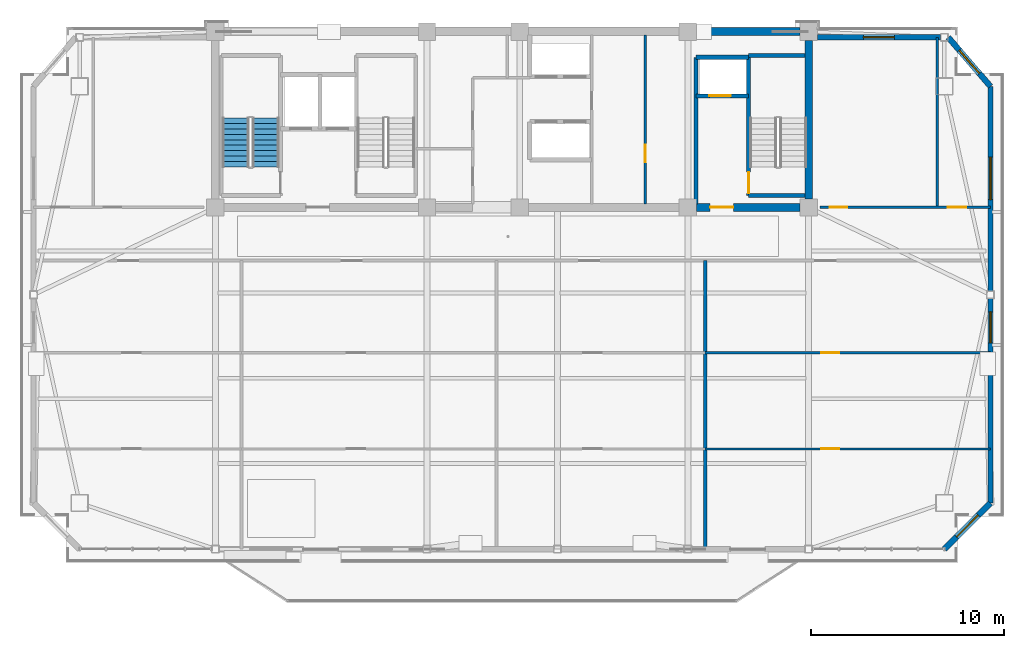
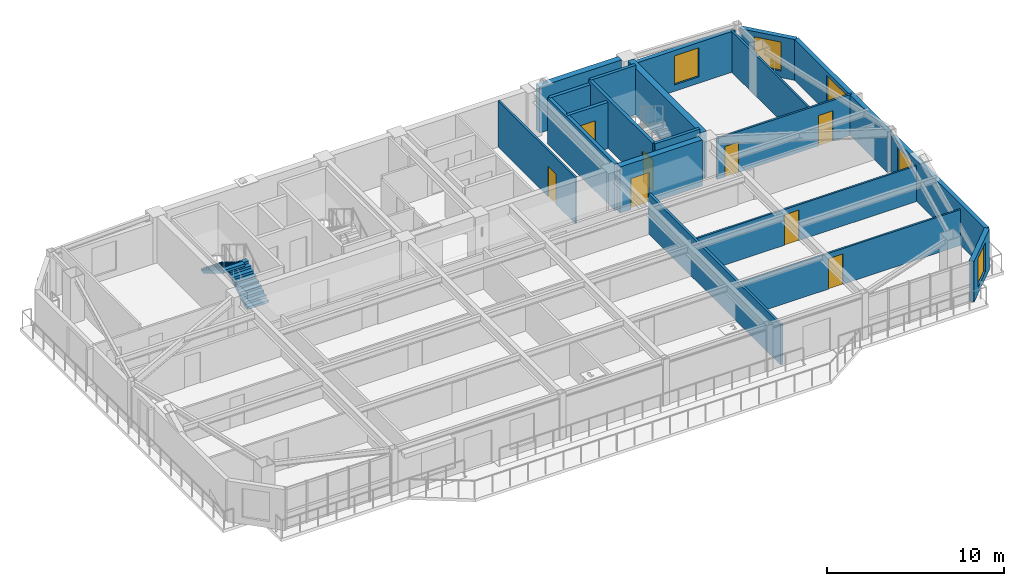
# One storey, part 8 of 13: 20 walls, 8 doors, 5 windows, 2 stair flights, 13 openings, 1 element without a shape of its own.
"""IFC4 building model written with IfcOpenShell, lengths in metres."""

from ifc_helpers import new_model, si_unit, direction, frame, frame_2d, origin, place, context, subcontext, project, spatial, polyline, rectangle, outline, extrude, source, transform, mapped, material, layer, layer_set, type_object, element, fill, aggregate, save


model = new_model("IFC4")

# Units and contexts
model_context = context("Model", 3, precision=1e-05, world=origin(), true_north=direction((0.0, 1.0)))
body_context = subcontext(model_context, "Body", "Model", "MODEL_VIEW")
ifc_project = project(units=[si_unit("LENGTHUNIT", "METRE"), si_unit("AREAUNIT", "SQUARE_METRE"), si_unit("VOLUMEUNIT", "CUBIC_METRE"), si_unit("PLANEANGLEUNIT", "RADIAN"), si_unit("MASSUNIT", "GRAM", prefix="KILO")], contexts=[model_context])

# Site, building, storey
site_placement = place(None, origin())
site = spatial("IfcSite", under=ifc_project, at=site_placement, CompositionType="ELEMENT")
building_placement = place(site_placement, origin())
building = spatial("IfcBuilding", under=site, at=building_placement, Name="Giltprow Tower", CompositionType="ELEMENT")
storey_placement = place(building_placement, frame((0.0, 0.0, 304.0)))
storey = spatial("IfcBuildingStorey", under=building, at=storey_placement, Name="L78", CompositionType="ELEMENT", Elevation=304.0)

# Wall, opening, window
ifc_material_1 = material(Name="Precast concrete C40", Category="concrete")
ifc_layer_1 = layer(ifc_material_1, 0.300048828125, Name="Precast concrete C40")
ifc_layer_set_1 = layer_set([ifc_layer_1], Name="Precast concrete C40")
wall_type_1 = type_object("IfcWallType", Name="EW-NOTCH-CHAMFER-300", PredefinedType="SOLIDWALL", material=ifc_layer_set_1)
wall_1_placement = place(storey_placement, frame((57.574951171875, 19.77197265625, 0.0), z_axis=(0.0, 0.0, 1.0), x_axis=(0.707106781187, 0.707106781187, 0.0)))
wall_1 = element("IfcWall", 1, at=wall_1_placement, inside=storey, type_object=wall_type_1, Name="L78 Corner Notch Wall SE", PredefinedType="SOLIDWALL", context=body_context, shape_type="SweptSolid", body=[
    extrude(rectangle(XDim=3.372802734375, YDim=0.300048828125, at=frame_2d((1.6865234375, 0.0))), origin(), (0.0, 0.0, 1.0), 2.81494140625),
])
opening_1_placement = place(wall_1_placement, frame((0.885986328125, 0.0, 0.449951171875)))
opening_1 = element("IfcOpeningElement", 2, at=opening_1_placement, cuts=wall_1, Name="Opening WN17", PredefinedType="OPENING", context=body_context, shape_type="SweptSolid", body=[
    extrude(rectangle(XDim=1.60009765625, YDim=2.0, at=frame_2d((0.800048828125, 1.0))), frame((0.0, 0.159912109375, 0.0), z_axis=(0.0, -1.0, 0.0), x_axis=(1.0, 0.0, 0.0)), (0.0, 0.0, 1.0), 0.320068359375),
])
ifc_material_2 = material(Name="Insulated glass", Category="glass")
window_type_1 = type_object("IfcWindowType", Name="WN-COR-1600x2000", PartitioningType="SINGLE_PANEL", PredefinedType="WINDOW", material=ifc_material_2)
shared_shape_1 = source(origin(), body_context, "Body", "SweptSolid", [
    extrude(rectangle(XDim=1.60009765625, YDim=2.0, at=frame_2d((0.800048828125, 1.0))), frame((0.0, 0.030029296875, 0.0), z_axis=(0.0, -1.0, 0.0), x_axis=(1.0, 0.0, 0.0)), (0.0, 0.0, 1.0), 0.06005859375),
])
window_1_placement = place(opening_1_placement, origin())
window_1 = element("IfcWindow", 3, at=window_1_placement, inside=storey, type_object=window_type_1, Name="L78 Corner Notch Window SE", OverallHeight=2.0, OverallWidth=1.60009765625, PartitioningType="SINGLE_PANEL", PredefinedType="WINDOW", context=body_context, shape_type="MappedRepresentation", body=[
    mapped(shared_shape_1, transform((0.0, 0.0, 0.0), x_axis=(1.0, 0.0, 0.0), y_axis=(0.0, 1.0, 0.0), z_axis=(0.0, 0.0, 1.0), scale=1.0)),
])
fill(opening_1, window_1)

wall_2_placement = place(storey_placement, frame((59.9599609375, 43.715087890625, 0.0), z_axis=(0.0, 0.0, 1.0), x_axis=(-0.652903544361, 0.757441061576, 0.0)))
wall_2 = element("IfcWall", 4, at=wall_2_placement, inside=storey, type_object=wall_type_1, Name="L78 Corner Notch Wall NE", PredefinedType="SOLIDWALL", context=body_context, shape_type="SweptSolid", body=[
    extrude(rectangle(XDim=3.3466796875, YDim=0.300048828125, at=frame_2d((1.67333984375, 0.0))), origin(), (0.0, 0.0, 1.0), 2.81494140625),
])
opening_2_placement = place(wall_2_placement, frame((0.873046875, 0.0, 0.449951171875)))
opening_2 = element("IfcOpeningElement", 5, at=opening_2_placement, cuts=wall_2, Name="Opening WN17", PredefinedType="OPENING", context=body_context, shape_type="SweptSolid", body=[
    extrude(rectangle(XDim=1.60009765625, YDim=2.0, at=frame_2d((0.800048828125, 1.0))), frame((0.0, 0.159912109375, 0.0), z_axis=(0.0, -1.0, 0.0), x_axis=(1.0, 0.0, 0.0)), (0.0, 0.0, 1.0), 0.320068359375),
])
window_2_placement = place(opening_2_placement, origin())
window_2 = element("IfcWindow", 6, at=window_2_placement, inside=storey, type_object=window_type_1, Name="L78 Corner Notch Window NE", OverallHeight=2.0, OverallWidth=1.60009765625, PartitioningType="SINGLE_PANEL", PredefinedType="WINDOW", context=body_context, shape_type="MappedRepresentation", body=[
    mapped(shared_shape_1, transform((0.0, 0.0, 0.0), x_axis=(1.0, 0.0, 0.0), y_axis=(0.0, 1.0, 0.0), z_axis=(0.0, 0.0, 1.0), scale=1.0)),
])
fill(opening_2, window_2)

ifc_layer_2 = layer(ifc_material_1, 0.280029296875, Name="Precast concrete C40")
ifc_layer_set_2 = layer_set([ifc_layer_2], Name="Precast concrete C40")
wall_type_2 = type_object("IfcWallType", Name="EW-TOW-BRONZE-280", PredefinedType="SOLIDWALL", material=ifc_layer_set_2)
wall_3_placement = place(storey_placement, frame((59.9599609375, 22.156982421875, 0.0), z_axis=(0.0, 0.0, 1.0), x_axis=(0.0, 1.0, 0.0)))
wall_3 = element("IfcWall", 7, at=wall_3_placement, inside=storey, type_object=wall_type_2, Name="L78 E Wing Masonry Wall 1", PredefinedType="SOLIDWALL", context=body_context, shape_type="SweptSolid", body=[
    extrude(rectangle(XDim=10.5791015625, YDim=0.280029296875, at=frame_2d((5.28955078125, 0.0))), origin(), (0.0, 0.0, 1.0), 2.81494140625),
])
opening_3_placement = place(wall_3_placement, frame((8.2900390625, 0.0, 0.449951171875)))
opening_3 = element("IfcOpeningElement", 8, at=opening_3_placement, cuts=wall_3, Name="Opening WN17", PredefinedType="OPENING", context=body_context, shape_type="SweptSolid", body=[
    extrude(rectangle(XDim=1.60009765625, YDim=2.0, at=frame_2d((0.800048828125, 1.0))), frame((0.0, 0.14990234375, 0.0), z_axis=(0.0, -1.0, 0.0), x_axis=(1.0, 0.0, 0.0)), (0.0, 0.0, 1.0), 0.300048828125),
])
window_3_placement = place(opening_3_placement, origin())
window_3 = element("IfcWindow", 9, at=window_3_placement, inside=storey, type_object=window_type_1, Name="L78 E Wing Window 1-1", OverallHeight=2.0, OverallWidth=1.60009765625, PartitioningType="SINGLE_PANEL", PredefinedType="WINDOW", context=body_context, shape_type="MappedRepresentation", body=[
    mapped(shared_shape_1, transform((0.0, 0.0, 0.0), x_axis=(1.0, 0.0, 0.0), y_axis=(0.0, 1.0, 0.0), z_axis=(0.0, 0.0, 1.0), scale=1.0)),
])
fill(opening_3, window_3)

wall_4_placement = place(storey_placement, frame((59.9599609375, 33.135986328125, 0.0), z_axis=(0.0, 0.0, 1.0), x_axis=(0.0, 1.0, 0.0)))
wall_4 = element("IfcWall", 10, at=wall_4_placement, inside=storey, type_object=wall_type_2, Name="L78 E Wing Masonry Wall 2", PredefinedType="SOLIDWALL", context=body_context, shape_type="SweptSolid", body=[
    extrude(rectangle(XDim=10.5791015625, YDim=0.280029296875, at=frame_2d((5.28955078125, 0.0))), origin(), (0.0, 0.0, 1.0), 2.81494140625),
])
opening_4_placement = place(wall_4_placement, frame((4.718994140625, 0.0, 0.449951171875)))
opening_4 = element("IfcOpeningElement", 11, at=opening_4_placement, cuts=wall_4, Name="Opening WN27", PredefinedType="OPENING", context=body_context, shape_type="SweptSolid", body=[
    extrude(rectangle(XDim=2.199951171875, YDim=2.10009765625, at=frame_2d((1.10009765625, 1.050048828125))), frame((0.0, 0.14990234375, 0.0), z_axis=(0.0, -1.0, 0.0), x_axis=(1.0, 0.0, 0.0)), (0.0, 0.0, 1.0), 0.300048828125),
])
window_type_2 = type_object("IfcWindowType", Name="WN-RES-2200x2100", PartitioningType="TRIPLE_PANEL_VERTICAL", PredefinedType="WINDOW", material=ifc_material_2)
shared_shape_2 = source(origin(), body_context, "Body", "SweptSolid", [
    extrude(rectangle(XDim=2.199951171875, YDim=2.10009765625, at=frame_2d((1.10009765625, 1.050048828125))), frame((0.0, 0.030029296875, 0.0), z_axis=(0.0, -1.0, 0.0), x_axis=(1.0, 0.0, 0.0)), (0.0, 0.0, 1.0), 0.06005859375),
])
window_4_placement = place(opening_4_placement, origin())
window_4 = element("IfcWindow", 12, at=window_4_placement, inside=storey, type_object=window_type_2, Name="L78 E Wing Window 2-1", OverallHeight=2.10009765625, OverallWidth=2.199951171875, PartitioningType="SINGLE_PANEL", PredefinedType="WINDOW", context=body_context, shape_type="MappedRepresentation", body=[
    mapped(shared_shape_2, transform((0.0, 0.0, 0.0), x_axis=(1.0, 0.0, 0.0), y_axis=(0.0, 1.0, 0.0), z_axis=(0.0, 0.0, 1.0), scale=1.0)),
])
fill(opening_4, window_4)

wall_5_placement = place(storey_placement, frame((51.0, 46.25, 0.0), z_axis=(0.0, 0.0, 1.0), x_axis=(1.0, 0.0, 0.0)))
wall_5 = element("IfcWall", 13, at=wall_5_placement, inside=storey, type_object=wall_type_2, Name="L78 North-East Wing Wall", PredefinedType="SOLIDWALL", context=body_context, shape_type="SweptSolid", body=[
    extrude(rectangle(XDim=6.375, YDim=0.280029296875, at=frame_2d((3.1875, 0.0))), origin(), (0.0, 0.0, 1.0), 2.81494140625),
])
opening_5_placement = place(wall_5_placement, frame((2.387939453125, 0.0, 0.449951171875)))
opening_5 = element("IfcOpeningElement", 14, at=opening_5_placement, cuts=wall_5, Name="Opening WN17", PredefinedType="OPENING", context=body_context, shape_type="SweptSolid", body=[
    extrude(rectangle(XDim=1.60009765625, YDim=2.0, at=frame_2d((0.800048828125, 1.0))), frame((0.0, 0.14990234375, 0.0), z_axis=(0.0, -1.0, 0.0), x_axis=(1.0, 0.0, 0.0)), (0.0, 0.0, 1.0), 0.300048828125),
])
window_5_placement = place(opening_5_placement, origin())
window_5 = element("IfcWindow", 15, at=window_5_placement, inside=storey, type_object=window_type_1, Name="L78 North-East Window", OverallHeight=2.0, OverallWidth=1.60009765625, PartitioningType="SINGLE_PANEL", PredefinedType="WINDOW", context=body_context, shape_type="MappedRepresentation", body=[
    mapped(shared_shape_1, transform((0.0, 0.0, 0.0), x_axis=(1.0, 0.0, 0.0), y_axis=(0.0, 1.0, 0.0), z_axis=(0.0, 0.0, 1.0), scale=1.0)),
])
fill(opening_5, window_5)

# Wall
ifc_material_3 = material(Name="Gypsum stud partition", Category="gypsum")
ifc_layer_3 = layer(ifc_material_3, 0.159912109375, Name="Gypsum stud partition")
ifc_layer_set_3 = layer_set([ifc_layer_3], Name="Gypsum stud partition")
wall_type_3 = type_object("IfcWallType", Name="IW-DEMISE-160", PredefinedType="PARTITIONING", material=ifc_layer_set_3)
wall_6_placement = place(storey_placement, frame((45.199951171875, 19.77197265625, 0.0), z_axis=(0.0, 0.0, 1.0), x_axis=(0.0, 1.0, 0.0)))
element("IfcWall", 16, at=wall_6_placement, inside=storey, type_object=wall_type_3, Name="L78 Apartment Party Wall 3", PredefinedType="PARTITIONING", context=body_context, shape_type="SweptSolid", body=[
    extrude(rectangle(XDim=14.927978515625, YDim=0.159912109375, at=frame_2d((7.4638671875, 0.0))), origin(), (0.0, 0.0, 1.0), 2.77001953125),
])

# Wall, opening, door
ifc_layer_4 = layer(ifc_material_3, 0.1201171875, Name="Gypsum stud partition")
ifc_layer_set_4 = layer_set([ifc_layer_4], Name="Gypsum stud partition")
wall_type_4 = type_object("IfcWallType", Name="IW-ROOM-120", PredefinedType="PARTITIONING", material=ifc_layer_set_4)
wall_7_placement = place(storey_placement, frame((45.199951171875, 24.951904296875, 0.0), z_axis=(0.0, 0.0, 1.0), x_axis=(1.0, 0.0, 0.0)))
wall_7 = element("IfcWall", 17, at=wall_7_placement, inside=storey, type_object=wall_type_4, Name="L78 Special Split 1", PredefinedType="PARTITIONING", context=body_context, shape_type="SweptSolid", body=[
    extrude(rectangle(XDim=14.760009765625, YDim=0.1201171875, at=frame_2d((7.3798828125, 0.0))), origin(), (0.0, 0.0, 1.0), 2.469970703125),
])
opening_6_placement = place(wall_7_placement, frame((5.989990234375, 0.0, 0.0)))
opening_6 = element("IfcOpeningElement", 18, at=opening_6_placement, cuts=wall_7, Name="Opening ID11", PredefinedType="OPENING", context=body_context, shape_type="SweptSolid", body=[
    extrude(rectangle(XDim=0.949951171875, YDim=2.10009765625, at=frame_2d((0.47509765625, 1.050048828125))), frame((0.0, 0.070068359375, 0.0), z_axis=(0.0, -1.0, 0.0), x_axis=(1.0, 0.0, 0.0)), (0.0, 0.0, 1.0), 0.14013671875),
])
ifc_material_4 = material(Name="Engineered timber", Category="wood")
door_type_1 = type_object("IfcDoorType", Name="DR-ROOM-950", OperationType="SINGLE_SWING_RIGHT", PredefinedType="DOOR", material=ifc_material_4)
shared_shape_3 = source(origin(), body_context, "Body", "SweptSolid", [
    extrude(rectangle(XDim=0.949951171875, YDim=2.10009765625, at=frame_2d((0.47509765625, 1.050048828125))), frame((0.0, 0.02490234375, 0.0), z_axis=(0.0, -1.0, 0.0), x_axis=(1.0, 0.0, 0.0)), (0.0, 0.0, 1.0), 0.050048828125),
])
door_1_placement = place(opening_6_placement, origin())
door_1 = element("IfcDoor", 19, at=door_1_placement, inside=storey, type_object=door_type_1, Name="L78 Boutique Florist Shop South Door", OperationType="SINGLE_SWING_RIGHT", OverallHeight=2.10009765625, OverallWidth=0.949951171875, PredefinedType="DOOR", context=body_context, shape_type="MappedRepresentation", body=[
    mapped(shared_shape_3, transform((0.0, 0.0, 0.0), x_axis=(1.0, 0.0, 0.0), y_axis=(0.0, 1.0, 0.0), z_axis=(0.0, 0.0, 1.0), scale=1.0)),
])
fill(opening_6, door_1)

wall_8_placement = place(storey_placement, frame((45.199951171875, 29.93310546875, 0.0), z_axis=(0.0, 0.0, 1.0), x_axis=(1.0, 0.0, 0.0)))
wall_8 = element("IfcWall", 20, at=wall_8_placement, inside=storey, type_object=wall_type_4, Name="L78 Special Split 2", PredefinedType="PARTITIONING", context=body_context, shape_type="SweptSolid", body=[
    extrude(rectangle(XDim=14.760009765625, YDim=0.1201171875, at=frame_2d((7.3798828125, 0.0))), origin(), (0.0, 0.0, 1.0), 2.469970703125),
])
opening_7_placement = place(wall_8_placement, frame((5.989990234375, 0.0, 0.0)))
opening_7 = element("IfcOpeningElement", 21, at=opening_7_placement, cuts=wall_8, Name="Opening ID11", PredefinedType="OPENING", context=body_context, shape_type="SweptSolid", body=[
    extrude(rectangle(XDim=0.949951171875, YDim=2.10009765625, at=frame_2d((0.47509765625, 1.050048828125))), frame((0.0, 0.070068359375, 0.0), z_axis=(0.0, -1.0, 0.0), x_axis=(1.0, 0.0, 0.0)), (0.0, 0.0, 1.0), 0.14013671875),
])
door_2_placement = place(opening_7_placement, origin())
door_2 = element("IfcDoor", 22, at=door_2_placement, inside=storey, type_object=door_type_1, Name="L78 Boutique Florist Shop Mid Door", OperationType="SINGLE_SWING_LEFT", OverallHeight=2.10009765625, OverallWidth=0.949951171875, PredefinedType="DOOR", context=body_context, shape_type="MappedRepresentation", body=[
    mapped(shared_shape_3, transform((0.0, 0.0, 0.0), x_axis=(1.0, 0.0, 0.0), y_axis=(0.0, 1.0, 0.0), z_axis=(0.0, 0.0, 1.0), scale=1.0)),
])
fill(opening_7, door_2)

ifc_material_5 = material(Name="Concrete C40", Category="concrete")
ifc_layer_5 = layer(ifc_material_5, 0.219970703125, Name="Concrete C40")
ifc_layer_set_5 = layer_set([ifc_layer_5], Name="Concrete C40")
wall_type_5 = type_object("IfcWallType", Name="IW-SHAFT-220", PredefinedType="SOLIDWALL", material=ifc_layer_set_5)
wall_9_placement = place(storey_placement, frame((44.719970703125, 43.219970703125, 0.0), z_axis=(0.0, 0.0, 1.0), x_axis=(1.0, 0.0, 0.0)))
wall_9 = element("IfcWall", 23, at=wall_9_placement, inside=storey, type_object=wall_type_5, Name="L78 FFL2 Front Shaft Wall", PredefinedType="SOLIDWALL", context=body_context, shape_type="SweptSolid", body=[
    extrude(rectangle(XDim=2.719970703125, YDim=0.219970703125, at=frame_2d((1.35986328125, 0.0))), origin(), (0.0, 0.0, 1.0), 3.18505859375),
])
opening_8_placement = place(wall_9_placement, frame((0.699951171875, 0.0, 0.0)))
opening_8 = element("IfcOpeningElement", 24, at=opening_8_placement, cuts=wall_9, Name="Opening LD-11", PredefinedType="OPENING", context=body_context, shape_type="SweptSolid", body=[
    extrude(rectangle(XDim=1.10009765625, YDim=2.199951171875, at=frame_2d((0.550048828125, 1.10009765625))), frame((0.0, 0.119873046875, 0.0), z_axis=(0.0, -1.0, 0.0), x_axis=(1.0, 0.0, 0.0)), (0.0, 0.0, 1.0), 0.239990234375),
])
ifc_material_6 = material(Name="Stainless steel", Category="steel")
door_type_2 = type_object("IfcDoorType", Name="DR-LIFT-LD1100", OperationType="SLIDING_TO_LEFT", PredefinedType="DOOR", material=ifc_material_6)
shared_shape_4 = source(origin(), body_context, "Body", "SweptSolid", [
    extrude(rectangle(XDim=1.10009765625, YDim=2.199951171875, at=frame_2d((0.550048828125, 1.10009765625))), frame((0.0, 0.02490234375, 0.0), z_axis=(0.0, -1.0, 0.0), x_axis=(1.0, 0.0, 0.0)), (0.0, 0.0, 1.0), 0.050048828125),
])
door_3_placement = place(opening_8_placement, origin())
door_3 = element("IfcDoor", 25, at=door_3_placement, inside=storey, type_object=door_type_2, Name="L78 FFL2 Landing Door", OperationType="SLIDING_TO_LEFT", OverallHeight=2.199951171875, OverallWidth=1.10009765625, PredefinedType="DOOR", context=body_context, shape_type="MappedRepresentation", body=[
    mapped(shared_shape_4, transform((0.0, 0.0, 0.0), x_axis=(1.0, 0.0, 0.0), y_axis=(0.0, 1.0, 0.0), z_axis=(0.0, 0.0, 1.0), scale=1.0)),
])
fill(opening_8, door_3)

# Walls
wall_10_placement = place(storey_placement, frame((44.719970703125, 45.219970703125, 0.0), z_axis=(0.0, 0.0, 1.0), x_axis=(1.0, 0.0, 0.0)))
element("IfcWall", 26, at=wall_10_placement, inside=storey, type_object=wall_type_5, Name="L78 FFL2 Back Shaft Wall", PredefinedType="SOLIDWALL", context=body_context, shape_type="SweptSolid", body=[
    extrude(rectangle(XDim=2.719970703125, YDim=0.219970703125, at=frame_2d((1.35986328125, 0.0))), origin(), (0.0, 0.0, 1.0), 3.18505859375),
])
wall_11_placement = place(storey_placement, frame((44.719970703125, 37.6298828125, 0.0), z_axis=(0.0, 0.0, 1.0), x_axis=(0.0, 1.0, 0.0)))
element("IfcWall", 27, at=wall_11_placement, inside=storey, type_object=wall_type_5, Name="L78 East Firefighting Lobby West Wall", PredefinedType="SOLIDWALL", context=body_context, shape_type="SweptSolid", body=[
    extrude(rectangle(XDim=7.590087890625, YDim=0.219970703125, at=frame_2d((3.794921875, 0.0))), origin(), (0.0, 0.0, 1.0), 3.18505859375),
])

# Wall, opening, door
ifc_layer_6 = layer(ifc_material_5, 0.199951171875, Name="Concrete C40")
ifc_layer_set_6 = layer_set([ifc_layer_6], Name="Concrete C40")
wall_type_6 = type_object("IfcWallType", Name="IW-STAIR-200", PredefinedType="SOLIDWALL", material=ifc_layer_set_6)
wall_12_placement = place(storey_placement, frame((47.43994140625, 38.070068359375, 0.0), z_axis=(0.0, 0.0, 1.0), x_axis=(0.0, 1.0, 0.0)))
wall_12 = element("IfcWall", 28, at=wall_12_placement, inside=storey, type_object=wall_type_6, Name="L78 Stair ST-3 West Bearing Wall", PredefinedType="SOLIDWALL", context=body_context, shape_type="SweptSolid", body=[
    extrude(rectangle(XDim=7.25, YDim=0.199951171875, at=frame_2d((3.625, 0.0))), origin(), (0.0, 0.0, 1.0), 3.39990234375),
])
opening_9_placement = place(wall_12_placement, frame((0.110107421875, 0.0, 0.0)))
opening_9 = element("IfcOpeningElement", 29, at=opening_9_placement, cuts=wall_12, Name="Opening ID33", PredefinedType="OPENING", context=body_context, shape_type="SweptSolid", body=[
    extrude(rectangle(XDim=1.10009765625, YDim=2.14990234375, at=frame_2d((0.550048828125, 1.074951171875))), frame((0.0, 0.10986328125, 0.0), z_axis=(0.0, -1.0, 0.0), x_axis=(1.0, 0.0, 0.0)), (0.0, 0.0, 1.0), 0.219970703125),
])
ifc_material_7 = material(Name="Steel fire leaf", Category="steel")
door_type_3 = type_object("IfcDoorType", Name="DR-STAIR-1100", OperationType="SINGLE_SWING_LEFT", PredefinedType="DOOR", material=ifc_material_7)
shared_shape_5 = source(origin(), body_context, "Body", "SweptSolid", [
    extrude(rectangle(XDim=1.10009765625, YDim=2.14990234375, at=frame_2d((0.550048828125, 1.074951171875))), frame((0.0, 0.02490234375, 0.0), z_axis=(0.0, -1.0, 0.0), x_axis=(1.0, 0.0, 0.0)), (0.0, 0.0, 1.0), 0.050048828125),
])
door_4_placement = place(opening_9_placement, origin())
door_4 = element("IfcDoor", 30, at=door_4_placement, inside=storey, type_object=door_type_3, Name="L78 Stair ST-3 Fire Door", OperationType="SINGLE_SWING_RIGHT", OverallHeight=2.14990234375, OverallWidth=1.10009765625, PredefinedType="DOOR", context=body_context, shape_type="MappedRepresentation", body=[
    mapped(shared_shape_5, transform((0.0, 0.0, 0.0), x_axis=(1.0, 0.0, 0.0), y_axis=(0.0, 1.0, 0.0), z_axis=(0.0, 0.0, 1.0), scale=1.0)),
])
fill(opening_9, door_4)

# Walls
for number, where, z_axis, x_axis, name in (
    (31, (47.43994140625, 45.320068359375, 0.0), (0.0, 0.0, 1.0), (1.0, 0.0, 0.0), "L78 Stair ST-3 North Bearing Wall"),
    (32, (47.43994140625, 38.070068359375, 0.0), (0.0, 0.0, 1.0), (1.0, 0.0, 0.0), "L78 Stair ST-3 South Bearing Wall"),
):
    element("IfcWall", number, at=place(storey_placement, frame(where, z_axis=z_axis, x_axis=x_axis)), inside=storey, type_object=wall_type_6, Name=name, PredefinedType="SOLIDWALL", context=body_context, shape_type="SweptSolid", body=[
        extrude(rectangle(XDim=2.93017578125, YDim=0.199951171875, at=frame_2d((1.465087890625, 0.0))), origin(), (0.0, 0.0, 1.0), 3.39990234375),
    ])

# Wall, opening, door
ifc_material_8 = material(Name="Concrete C30", Category="concrete")
ifc_layer_7 = layer(ifc_material_8, 0.1298828125, Name="Concrete C30")
ifc_layer_set_7 = layer_set([ifc_layer_7], Name="Concrete C30")
wall_type_7 = type_object("IfcWallType", Name="IW-WET-130", PredefinedType="PARTITIONING", material=ifc_layer_set_7)
wall_13_placement = place(storey_placement, frame((42.10009765625, 37.6298828125, 0.0), z_axis=(0.0, 0.0, 1.0), x_axis=(0.0, 1.0, 0.0)))
wall_13 = element("IfcWall", 33, at=wall_13_placement, inside=storey, type_object=wall_type_7, Name="L78 East Core Vertical Divider", PredefinedType="PARTITIONING", context=body_context, shape_type="SweptSolid", body=[
    extrude(rectangle(XDim=8.740234375, YDim=0.1298828125, at=frame_2d((4.3701171875, 0.0))), origin(), (0.0, 0.0, 1.0), 3.18505859375),
])
opening_10_placement = place(wall_13_placement, frame((2.169921875, 0.0, 0.0)))
opening_10 = element("IfcOpeningElement", 34, at=opening_10_placement, cuts=wall_13, Name="Opening ID35", PredefinedType="OPENING", context=body_context, shape_type="SweptSolid", body=[
    extrude(rectangle(XDim=0.89990234375, YDim=2.10009765625, at=frame_2d((0.449951171875, 1.050048828125))), frame((0.0, 0.074951171875, 0.0), z_axis=(0.0, -1.0, 0.0), x_axis=(1.0, 0.0, 0.0)), (0.0, 0.0, 1.0), 0.14990234375),
])
door_type_4 = type_object("IfcDoorType", Name="DR-SHAFT-900", OperationType="SINGLE_SWING_LEFT", PredefinedType="DOOR", material=ifc_material_7)
shared_shape_6 = source(origin(), body_context, "Body", "SweptSolid", [
    extrude(rectangle(XDim=0.89990234375, YDim=2.10009765625, at=frame_2d((0.449951171875, 1.050048828125))), frame((0.0, 0.02490234375, 0.0), z_axis=(0.0, -1.0, 0.0), x_axis=(1.0, 0.0, 0.0)), (0.0, 0.0, 1.0), 0.050048828125),
])
door_5_placement = place(opening_10_placement, origin())
door_5 = element("IfcDoor", 35, at=door_5_placement, inside=storey, type_object=door_type_4, Name="L78 Core Wine Store Inner Door", OperationType="SINGLE_SWING_RIGHT", OverallHeight=2.10009765625, OverallWidth=0.89990234375, PredefinedType="DOOR", context=body_context, shape_type="MappedRepresentation", body=[
    mapped(shared_shape_6, transform((0.0, 0.0, 0.0), x_axis=(1.0, 0.0, 0.0), y_axis=(0.0, 1.0, 0.0), z_axis=(0.0, 0.0, 1.0), scale=1.0)),
])
fill(opening_10, door_5)

# Wall, openings, doors
wall_14_placement = place(storey_placement, frame((51.14990234375, 37.449951171875, 0.0), z_axis=(0.0, 0.0, 1.0), x_axis=(1.0, 0.0, 0.0)))
wall_14 = element("IfcWall", 36, at=wall_14_placement, inside=storey, type_object=wall_type_7, Name="L78 NE Wing South Wall", PredefinedType="PARTITIONING", context=body_context, shape_type="SweptSolid", body=[
    extrude(rectangle(XDim=8.81005859375, YDim=0.1298828125, at=frame_2d((4.405029296875, 0.0))), origin(), (0.0, 0.0, 1.0), 2.820068359375),
])
opening_11_placement = place(wall_14_placement, frame((0.5, 0.0, 0.0)))
opening_11 = element("IfcOpeningElement", 37, at=opening_11_placement, cuts=wall_14, Name="Opening ID15", PredefinedType="OPENING", context=body_context, shape_type="SweptSolid", body=[
    extrude(rectangle(XDim=0.89990234375, YDim=2.10009765625, at=frame_2d((0.449951171875, 1.050048828125))), frame((0.0, 0.074951171875, 0.0), z_axis=(0.0, -1.0, 0.0), x_axis=(1.0, 0.0, 0.0)), (0.0, 0.0, 1.0), 0.14990234375),
])
opening_12_placement = place(wall_14_placement, frame((6.60693359375, 0.0, 0.0)))
opening_12 = element("IfcOpeningElement", 38, at=opening_12_placement, cuts=wall_14, Name="Opening ID11", PredefinedType="OPENING", context=body_context, shape_type="SweptSolid", body=[
    extrude(rectangle(XDim=0.949951171875, YDim=2.10009765625, at=frame_2d((0.47509765625, 1.050048828125))), frame((0.0, 0.074951171875, 0.0), z_axis=(0.0, -1.0, 0.0), x_axis=(1.0, 0.0, 0.0)), (0.0, 0.0, 1.0), 0.14990234375),
])
door_type_5 = type_object("IfcDoorType", Name="DR-WC-900", OperationType="SINGLE_SWING_LEFT", PredefinedType="DOOR", material=ifc_material_4)
door_6_placement = place(opening_11_placement, origin())
door_6 = element("IfcDoor", 39, at=door_6_placement, inside=storey, type_object=door_type_5, Name="L78 East Wing Washroom Door", OperationType="SINGLE_SWING_RIGHT", OverallHeight=2.10009765625, OverallWidth=0.89990234375, PredefinedType="DOOR", context=body_context, shape_type="MappedRepresentation", body=[
    mapped(shared_shape_6, transform((0.0, 0.0, 0.0), x_axis=(1.0, 0.0, 0.0), y_axis=(0.0, 1.0, 0.0), z_axis=(0.0, 0.0, 1.0), scale=1.0)),
])
fill(opening_11, door_6)
door_7_placement = place(opening_12_placement, origin())
door_7 = element("IfcDoor", 40, at=door_7_placement, inside=storey, type_object=door_type_1, Name="L78 Residents Reading Lounge Door", OperationType="SINGLE_SWING_RIGHT", OverallHeight=2.10009765625, OverallWidth=0.949951171875, PredefinedType="DOOR", context=body_context, shape_type="MappedRepresentation", body=[
    mapped(shared_shape_3, transform((0.0, 0.0, 0.0), x_axis=(1.0, 0.0, 0.0), y_axis=(0.0, 1.0, 0.0), z_axis=(0.0, 0.0, 1.0), scale=1.0)),
])
fill(opening_12, door_7)

# Walls
wall_15_placement = place(storey_placement, frame((57.20703125, 37.449951171875, 0.0), z_axis=(0.0, 0.0, 1.0), x_axis=(0.0, 1.0, 0.0)))
element("IfcWall", 41, at=wall_15_placement, inside=storey, type_object=wall_type_7, Name="L78 NE Wing Divider", PredefinedType="PARTITIONING", context=body_context, shape_type="SweptSolid", body=[
    extrude(rectangle(XDim=8.800048828125, YDim=0.1298828125, at=frame_2d((4.39990234375, 0.0))), origin(), (0.0, 0.0, 1.0), 2.820068359375),
])
ifc_material_9 = material(Name="Concrete C45", Category="concrete")
ifc_layer_8 = layer(ifc_material_9, 0.39990234375, Name="Concrete C45")
ifc_layer_set_8 = layer_set([ifc_layer_8], Name="Concrete C45")
wall_type_8 = type_object("IfcWallType", Name="SW-EXT-400-C45", PredefinedType="SHEAR", material=ifc_layer_set_8)
wall_16_placement = place(storey_placement, frame((44.75, 46.550048828125, 0.0), z_axis=(0.0, 0.0, 1.0), x_axis=(1.0, 0.0, 0.0)))
element("IfcWall", 42, at=wall_16_placement, inside=storey, type_object=wall_type_8, Name="L78 North Rear Core Shear Wall 4", PredefinedType="SHEAR", context=body_context, shape_type="SweptSolid", body=[
    extrude(rectangle(XDim=5.35009765625, YDim=0.39990234375, at=frame_2d((2.675048828125, 0.0))), origin(), (0.0, 0.0, 1.0), 3.18505859375),
])

# Wall, opening, door
ifc_layer_9 = layer(ifc_material_9, 0.39990234375, Name="Concrete C45")
ifc_layer_set_9 = layer_set([ifc_layer_9], Name="Concrete C45")
wall_type_9 = type_object("IfcWallType", Name="SW-INT-400-C45", PredefinedType="SHEAR", material=ifc_layer_set_9)
wall_17_placement = place(storey_placement, frame((44.75, 37.449951171875, 0.0), z_axis=(0.0, 0.0, 1.0), x_axis=(1.0, 0.0, 0.0)))
wall_17 = element("IfcWall", 43, at=wall_17_placement, inside=storey, type_object=wall_type_9, Name="L78 South Rear Core Shear Wall East", PredefinedType="SHEAR", context=body_context, shape_type="SweptSolid", body=[
    extrude(rectangle(XDim=5.35009765625, YDim=0.39990234375, at=frame_2d((2.675048828125, 0.0))), origin(), (0.0, 0.0, 1.0), 3.18505859375),
])
opening_13_placement = place(wall_17_placement, frame((0.699951171875, 0.0, 0.0)))
opening_13 = element("IfcOpeningElement", 44, at=opening_13_placement, cuts=wall_17, Name="Opening ID19", PredefinedType="OPENING", context=body_context, shape_type="SweptSolid", body=[
    extrude(rectangle(XDim=1.199951171875, YDim=2.14990234375, at=frame_2d((0.60009765625, 1.074951171875))), frame((0.0, 0.2099609375, 0.0), z_axis=(0.0, -1.0, 0.0), x_axis=(1.0, 0.0, 0.0)), (0.0, 0.0, 1.0), 0.419921875),
])
door_type_6 = type_object("IfcDoorType", Name="DR-FFLOBBY-1200", OperationType="SINGLE_SWING_RIGHT", PredefinedType="DOOR", material=ifc_material_7)
shared_shape_7 = source(origin(), body_context, "Body", "SweptSolid", [
    extrude(rectangle(XDim=1.199951171875, YDim=2.14990234375, at=frame_2d((0.60009765625, 1.074951171875))), frame((0.0, 0.02490234375, 0.0), z_axis=(0.0, -1.0, 0.0), x_axis=(1.0, 0.0, 0.0)), (0.0, 0.0, 1.0), 0.050048828125),
])
door_8_placement = place(opening_13_placement, origin())
door_8 = element("IfcDoor", 45, at=door_8_placement, inside=storey, type_object=door_type_6, Name="L78 East Firefighting Lobby Entry Door", OperationType="SINGLE_SWING_RIGHT", OverallHeight=2.14990234375, OverallWidth=1.199951171875, PredefinedType="DOOR", context=body_context, shape_type="MappedRepresentation", body=[
    mapped(shared_shape_7, transform((0.0, 0.0, 0.0), x_axis=(1.0, 0.0, 0.0), y_axis=(0.0, 1.0, 0.0), z_axis=(0.0, 0.0, 1.0), scale=1.0)),
])
fill(opening_13, door_8)

# Wall
wall_18_placement = place(storey_placement, frame((50.550048828125, 37.89990234375, 0.0), z_axis=(0.0, 0.0, 1.0), x_axis=(0.0, 1.0, 0.0)))
element("IfcWall", 46, at=wall_18_placement, inside=storey, type_object=wall_type_9, Name="L78 E Rear Core Shear Wall", PredefinedType="SHEAR", context=body_context, shape_type="SweptSolid", body=[
    extrude(rectangle(XDim=8.2001953125, YDim=0.39990234375, at=frame_2d((4.10009765625, 0.0))), origin(), (0.0, 0.0, 1.0), 3.18505859375),
])

# Stair, stair flights
stair_type = type_object("IfcStairType", Name="STR-ST-1", PredefinedType="HALF_TURN_STAIR", material=ifc_material_5)
stair_placement = place(storey_placement, origin())
stair = element("IfcStair", 47, at=stair_placement, inside=storey, type_object=stair_type, Name="L78 Core Exit Stair ST-1", PredefinedType="HALF_TURN_STAIR")
stair_flight_type = type_object("IfcStairFlightType", Name="SFL-ST-1", PredefinedType="STRAIGHT", material=ifc_material_5)
stair_flight_1_placement = place(storey_placement, frame((22.4599609375, 39.550048828125, 0.0), z_axis=(0.0, 0.0, 1.0), x_axis=(0.0, 1.0, 0.0)))
stair_flight_1 = element("IfcStairFlight", 48, at=stair_flight_1_placement, type_object=stair_flight_type, Name="ST-1 flight 1", NumberOfRisers=10, NumberOfTreads=9, PredefinedType="STRAIGHT", RiserHeight=0.17, TreadLength=0.28, context=body_context, shape_type="SweptSolid", body=[
    extrude(outline(polyline([(0.0, 0.0), (0.0, 0.169921875), (0.280029296875, 0.169921875), (0.280029296875, 0.340087890625), (0.56005859375, 0.340087890625), (0.56005859375, 0.510009765625), (0.840087890625, 0.510009765625), (0.840087890625, 0.679931640625), (1.1201171875, 0.679931640625), (1.1201171875, 0.85009765625), (1.39990234375, 0.85009765625), (1.39990234375, 1.02001953125), (1.679931640625, 1.02001953125), (1.679931640625, 1.18994140625), (1.9599609375, 1.18994140625), (1.9599609375, 1.360107421875), (2.239990234375, 1.360107421875), (2.239990234375, 1.530029296875), (2.52001953125, 1.530029296875), (2.52001953125, 1.699951171875), (2.52001953125, 1.354736328125), (0.288818359375, 0.0), (0.0, 0.0)])), frame((0.0, 0.699951171875, 0.0), z_axis=(0.0, -1.0, 0.0), x_axis=(1.0, 0.0, 0.0)), (0.0, 0.0, 1.0), 1.39990234375),
])
stair_flight_2_placement = place(storey_placement, frame((20.89990234375, 42.070068359375, 1.699951171875), z_axis=(0.0, 0.0, 1.0), x_axis=(0.0, -1.0, 0.0)))
stair_flight_2 = element("IfcStairFlight", 49, at=stair_flight_2_placement, type_object=stair_flight_type, Name="ST-1 flight 2", NumberOfRisers=10, NumberOfTreads=9, PredefinedType="STRAIGHT", RiserHeight=0.17, TreadLength=0.28, context=body_context, shape_type="SweptSolid", body=[
    extrude(outline(polyline([(0.0, 0.0), (0.0, 0.169921875), (0.280029296875, 0.169921875), (0.280029296875, 0.340087890625), (0.56005859375, 0.340087890625), (0.56005859375, 0.510009765625), (0.840087890625, 0.510009765625), (0.840087890625, 0.679931640625), (1.1201171875, 0.679931640625), (1.1201171875, 0.85009765625), (1.39990234375, 0.85009765625), (1.39990234375, 1.02001953125), (1.679931640625, 1.02001953125), (1.679931640625, 1.18994140625), (1.9599609375, 1.18994140625), (1.9599609375, 1.360107421875), (2.239990234375, 1.360107421875), (2.239990234375, 1.530029296875), (2.52001953125, 1.530029296875), (2.52001953125, 1.699951171875), (2.52001953125, 1.354736328125), (0.288818359375, 0.0), (0.0, 0.0)])), frame((0.0, 0.699951171875, 0.0), z_axis=(0.0, -1.0, 0.0), x_axis=(1.0, 0.0, 0.0)), (0.0, 0.0, 1.0), 1.39990234375),
])
aggregate(stair, [stair_flight_1, stair_flight_2])

save(model, "model.ifc")
